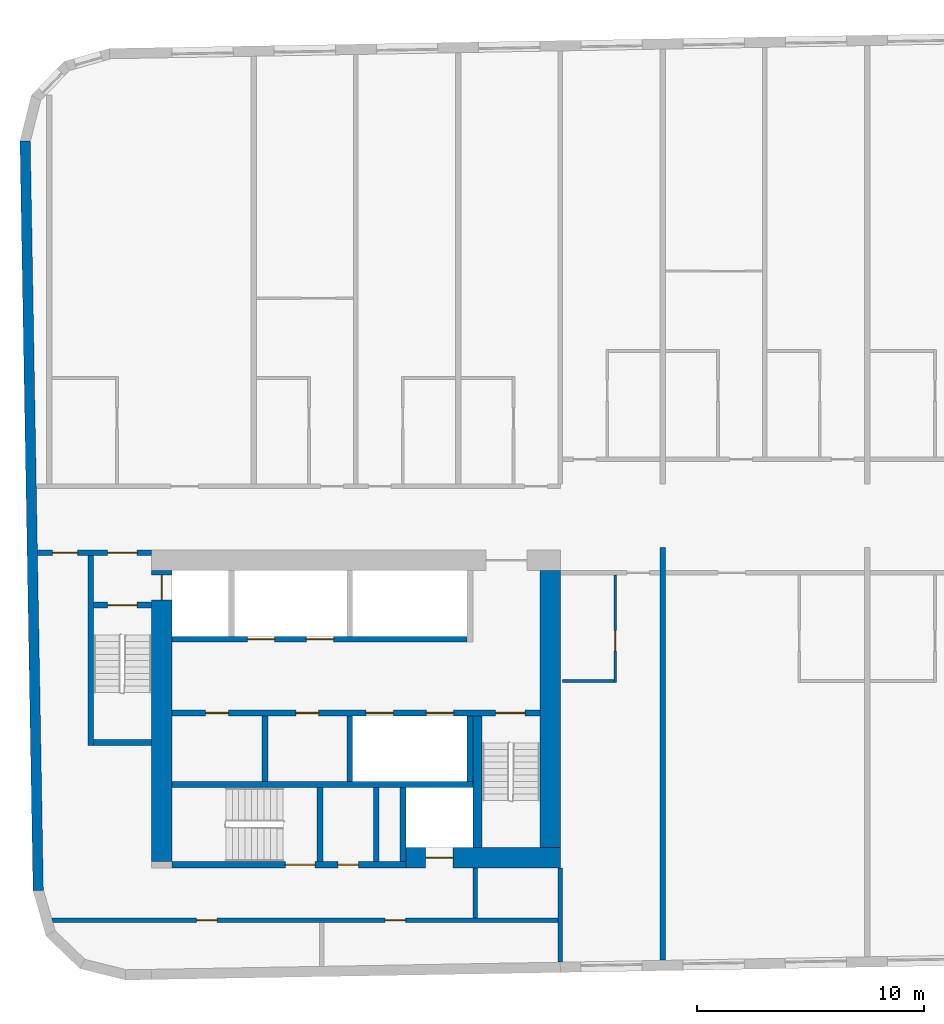
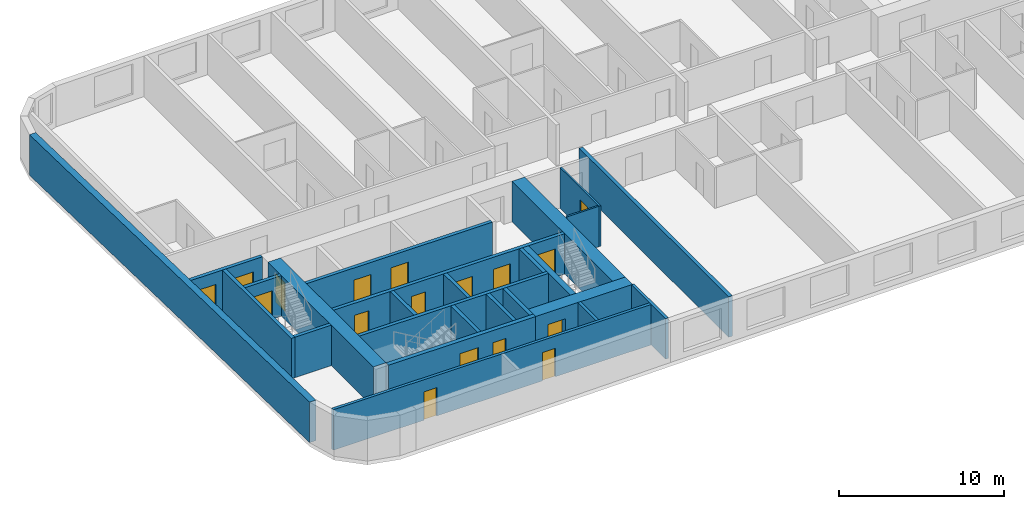
# One storey, part 2 of 11: 25 walls, 17 doors, 17 openings.
"""IFC4 building model written with IfcOpenShell, lengths in metres."""

from ifc_helpers import new_model, si_unit, direction, frame, frame_2d, origin, place, context, subcontext, project, spatial, rectangle, extrude, material, layer, layer_set, type_object, element, fill, save


model = new_model("IFC4")

# Units and contexts
model_context = context("Model", 3, precision=1e-05, world=origin(), true_north=direction((0.0, 1.0)))
body_context = subcontext(model_context, "Body", "Model", "MODEL_VIEW")
ifc_project = project(units=[si_unit("LENGTHUNIT", "METRE"), si_unit("AREAUNIT", "SQUARE_METRE"), si_unit("VOLUMEUNIT", "CUBIC_METRE"), si_unit("PLANEANGLEUNIT", "RADIAN"), si_unit("MASSUNIT", "GRAM", prefix="KILO")], contexts=[model_context])

# Site, building, storey
site_placement = place(None, origin())
site = spatial("IfcSite", under=ifc_project, at=site_placement, CompositionType="ELEMENT")
building_placement = place(site_placement, origin())
building = spatial("IfcBuilding", under=site, at=building_placement, Name="Kajstack Hotel Tower", CompositionType="ELEMENT")
storey_placement = place(building_placement, frame((0.0, 0.0, 254.0)))
storey = spatial("IfcBuildingStorey", under=building, at=storey_placement, Name="L63", CompositionType="ELEMENT", Elevation=254.0)

# Wall, opening, door
ifc_material_1 = material(Name="Concrete C60/75", Category="concrete")
ifc_layer_1 = layer(ifc_material_1, 0.89990234375)
ifc_layer_set_1 = layer_set([ifc_layer_1], Name="Core wall 900")
wall_type_1 = type_object("IfcWallType", Name="Core wall 900", PredefinedType="SHEAR", material=ifc_layer_set_1)
wall_1_placement = place(storey_placement, frame((-20.300048828125, -15.050048828125, 0.0), z_axis=(0.0, 0.0, 1.0), x_axis=(1.0, 0.0, 0.0)))
wall_1 = element("IfcWall", 1, at=wall_1_placement, inside=storey, type_object=wall_type_1, Name="Core wall W RS", PredefinedType="SHEAR", context=body_context, shape_type="SweptSolid", body=[
    extrude(rectangle(XDim=6.800048828125, YDim=0.89990234375, at=frame_2d((3.39990234375, 0.0))), origin(), (0.0, 0.0, 1.0), 3.0),
])
opening_1_placement = place(wall_1_placement, frame((0.875, 0.0, 0.0)))
opening_1 = element("IfcOpeningElement", 2, at=opening_1_placement, cuts=wall_1, Name="Opening LD-SV1", PredefinedType="OPENING", context=body_context, shape_type="SweptSolid", body=[
    extrude(rectangle(XDim=1.199951171875, YDim=2.10009765625, at=frame_2d((0.60009765625, 1.050048828125))), frame((0.0, 0.4599609375, 0.0), z_axis=(0.0, -1.0, 0.0), x_axis=(1.0, 0.0, 0.0)), (0.0, 0.0, 1.0), 0.919921875),
])
ifc_material_2 = material(Name="Stainless steel", Category="steel")
door_type_1 = type_object("IfcDoorType", Name="Lift landing door 1200", OperationType="SLIDING_TO_LEFT", PredefinedType="DOOR", material=ifc_material_2)
door_1_placement = place(opening_1_placement, origin())
door_1 = element("IfcDoor", 3, at=door_1_placement, inside=storey, type_object=door_type_1, Name="Landing door SV1", OperationType="SLIDING_TO_LEFT", OverallHeight=2.10009765625, OverallWidth=1.199951171875, PredefinedType="DOOR", context=body_context, shape_type="SweptSolid", body=[
    extrude(rectangle(XDim=1.199951171875, YDim=2.10009765625, at=frame_2d((0.60009765625, 1.050048828125))), frame((0.0, 0.02490234375, 0.0), z_axis=(0.0, -1.0, 0.0), x_axis=(1.0, 0.0, 0.0)), (0.0, 0.0, 1.0), 0.050048828125),
])
fill(opening_1, door_1)

wall_2_placement = place(storey_placement, frame((-31.050048828125, -15.199951171875, 0.0), z_axis=(0.0, 0.0, 1.0), x_axis=(0.0, 1.0, 0.0)))
wall_2 = element("IfcWall", 4, at=wall_2_placement, inside=storey, type_object=wall_type_1, Name="Core wall W RW", PredefinedType="SHEAR", context=body_context, shape_type="SweptSolid", body=[
    extrude(rectangle(XDim=12.800048828125, YDim=0.89990234375, at=frame_2d((6.39990234375, 0.0))), origin(), (0.0, 0.0, 1.0), 3.0),
])
opening_2_placement = place(wall_2_placement, frame((11.5, 0.0, 0.0)))
opening_2 = element("IfcOpeningElement", 5, at=opening_2_placement, cuts=wall_2, Name="Opening LD-FF1", PredefinedType="OPENING", context=body_context, shape_type="SweptSolid", body=[
    extrude(rectangle(XDim=1.10009765625, YDim=2.10009765625, at=frame_2d((0.550048828125, 1.050048828125))), frame((0.0, 0.4599609375, 0.0), z_axis=(0.0, -1.0, 0.0), x_axis=(1.0, 0.0, 0.0)), (0.0, 0.0, 1.0), 0.919921875),
])
door_type_2 = type_object("IfcDoorType", Name="Fire-fighting lift landing door 1100", OperationType="SLIDING_TO_LEFT", PredefinedType="DOOR", material=ifc_material_2)
door_2_placement = place(opening_2_placement, origin())
door_2 = element("IfcDoor", 6, at=door_2_placement, inside=storey, type_object=door_type_2, Name="Landing door FF1", OperationType="SLIDING_TO_RIGHT", OverallHeight=2.10009765625, OverallWidth=1.10009765625, PredefinedType="DOOR", context=body_context, shape_type="SweptSolid", body=[
    extrude(rectangle(XDim=1.10009765625, YDim=2.10009765625, at=frame_2d((0.550048828125, 1.050048828125))), frame((0.0, 0.02490234375, 0.0), z_axis=(0.0, -1.0, 0.0), x_axis=(1.0, 0.0, 0.0)), (0.0, 0.0, 1.0), 0.050048828125),
])
fill(opening_2, door_2)

# Walls
wall_3_placement = place(storey_placement, frame((-13.949951171875, -14.60009765625, 0.0), z_axis=(0.0, 0.0, 1.0), x_axis=(0.0, 1.0, 0.0)))
element("IfcWall", 7, at=wall_3_placement, inside=storey, type_object=wall_type_1, Name="Core wall W RE", PredefinedType="SHEAR", context=body_context, shape_type="SweptSolid", body=[
    extrude(rectangle(XDim=12.2001953125, YDim=0.89990234375, at=frame_2d((6.10009765625, 0.0))), origin(), (0.0, 0.0, 1.0), 3.0),
])
ifc_material_3 = material(Name="Twin-frame gypsum board on steel studs, mineral wool", Category="steel")
ifc_layer_2 = layer(ifc_material_3, 0.199951171875)
ifc_layer_set_2 = layer_set([ifc_layer_2], Name="Demising wall 200")
wall_type_2 = type_object("IfcWallType", Name="Demising wall 200", PredefinedType="PARTITIONING", material=ifc_layer_set_2)
wall_4_placement = place(storey_placement, frame((-13.5, -19.64111328125, 0.0), z_axis=(0.0, 0.0, 1.0), x_axis=(0.0, 1.0, 0.0)))
element("IfcWall", 8, at=wall_4_placement, inside=storey, type_object=wall_type_2, Name="G-wall-L63-002", PredefinedType="PARTITIONING", context=body_context, shape_type="SweptSolid", body=[
    extrude(rectangle(XDim=4.14111328125, YDim=0.199951171875, at=frame_2d((2.070556640625, 0.0))), origin(), (0.0, 0.0, 1.0), 3.0),
])
ifc_material_4 = material(Name="Terracotta-faced brick masonry", Category="masonry")
ifc_layer_3 = layer(ifc_material_4, 0.449951171875)
ifc_layer_set_3 = layer_set([ifc_layer_3], Name="EW-TERRA")
wall_type_3 = type_object("IfcWallType", Name="EW-TERRA", PredefinedType="SOLIDWALL", material=ifc_layer_set_3)
wall_5_placement = place(storey_placement, frame((-37.056884765625, 16.50341796875, 0.0), z_axis=(0.0, 0.0, 1.0), x_axis=(0.017452279857, -0.999847697366, 0.0)))
element("IfcWall", 9, at=wall_5_placement, inside=storey, type_object=wall_type_3, Name="E-wall-L63-00-00", PredefinedType="SOLIDWALL", context=body_context, shape_type="SweptSolid", body=[
    extrude(rectangle(XDim=33.000244140625, YDim=0.449951171875, at=frame_2d((16.5, 0.0))), origin(), (0.0, 0.0, 1.0), 3.0),
])

# Wall, opening, door
ifc_material_5 = material(Name="Gypsum board and tiled backer on steel studs", Category="steel")
ifc_layer_4 = layer(ifc_material_5, 0.125)
ifc_layer_set_4 = layer_set([ifc_layer_4], Name="En-suite wall 125")
wall_type_4 = type_object("IfcWallType", Name="En-suite wall 125", PredefinedType="PARTITIONING", material=ifc_layer_set_4)
wall_6_placement = place(storey_placement, frame((-11.087890625, -7.324951171875, 0.0), z_axis=(0.0, 0.0, 1.0), x_axis=(0.0, 1.0, 0.0)))
wall_6 = element("IfcWall", 10, at=wall_6_placement, inside=storey, type_object=wall_type_4, Name="G-wall-L63-030", PredefinedType="PARTITIONING", context=body_context, shape_type="SweptSolid", body=[
    extrude(rectangle(XDim=4.724853515625, YDim=0.125, at=frame_2d((2.3623046875, 0.0))), origin(), (0.0, 0.0, 1.0), 3.0),
])
opening_3_placement = place(wall_6_placement, frame((1.375, 0.0, 0.0)))
opening_3 = element("IfcOpeningElement", 11, at=opening_3_placement, cuts=wall_6, Name="Opening 63022", PredefinedType="OPENING", context=body_context, shape_type="SweptSolid", body=[
    extrude(rectangle(XDim=0.89990234375, YDim=2.10009765625, at=frame_2d((0.449951171875, 1.050048828125))), frame((0.0, 0.072509765625, 0.0), z_axis=(0.0, -1.0, 0.0), x_axis=(1.0, 0.0, 0.0)), (0.0, 0.0, 1.0), 0.14501953125),
])
ifc_material_6 = material(Name="Painted timber door leaf", Category="wood")
door_type_3 = type_object("IfcDoorType", Name="Room door 900", OperationType="SINGLE_SWING_LEFT", PredefinedType="DOOR", material=ifc_material_6)
door_3_placement = place(opening_3_placement, origin())
door_3 = element("IfcDoor", 12, at=door_3_placement, inside=storey, type_object=door_type_3, Name="G-door-L63-22", OperationType="SINGLE_SWING_LEFT", OverallHeight=2.10009765625, OverallWidth=0.89990234375, PredefinedType="DOOR", context=body_context, shape_type="SweptSolid", body=[
    extrude(rectangle(XDim=0.89990234375, YDim=2.10009765625, at=frame_2d((0.449951171875, 1.050048828125))), frame((0.0, 0.02490234375, 0.0), z_axis=(0.0, -1.0, 0.0), x_axis=(1.0, 0.0, 0.0)), (0.0, 0.0, 1.0), 0.050048828125),
])
fill(opening_3, door_3)

# Walls
wall_7_placement = place(storey_placement, frame((-13.39990234375, -7.261962890625, 0.0), z_axis=(0.0, 0.0, 1.0), x_axis=(1.0, 0.0, 0.0)))
element("IfcWall", 13, at=wall_7_placement, inside=storey, type_object=wall_type_4, Name="G-wall-L63-031", PredefinedType="PARTITIONING", context=body_context, shape_type="SweptSolid", body=[
    extrude(rectangle(XDim=2.25, YDim=0.125, at=frame_2d((1.125, 0.0))), origin(), (0.0, 0.0, 1.0), 3.0),
])
ifc_material_7 = material(Name="Concrete C50/60", Category="concrete")
ifc_layer_5 = layer(ifc_material_7, 0.300048828125)
ifc_layer_set_5 = layer_set([ifc_layer_5], Name="Hoistway divider wall 300")
wall_type_5 = type_object("IfcWallType", Name="Hoistway divider wall 300", PredefinedType="SHEAR", material=ifc_layer_set_5)
wall_8_placement = place(storey_placement, frame((-22.77490234375, -11.699951171875, 0.0), z_axis=(0.0, 0.0, 1.0), x_axis=(0.0, 1.0, 0.0)))
element("IfcWall", 14, at=wall_8_placement, inside=storey, type_object=wall_type_5, Name="Core wall W BP2", PredefinedType="SHEAR", context=body_context, shape_type="SweptSolid", body=[
    extrude(rectangle(XDim=2.89990234375, YDim=0.25, at=frame_2d((1.449951171875, 0.0))), origin(), (0.0, 0.0, 1.0), 3.0),
])
ifc_material_8 = material(Name="Concrete C45/55", Category="concrete")
ifc_layer_6 = layer(ifc_material_8, 0.25)
ifc_layer_set_6 = layer_set([ifc_layer_6], Name="RC cross wall 250 C45/55")
wall_type_6 = type_object("IfcWallType", Name="RC cross wall 250 C45/55", PredefinedType="SHEAR", material=ifc_layer_set_6)
wall_9_placement = place(storey_placement, frame((-9.0, -19.55029296875, 0.0), z_axis=(0.0, 0.0, 1.0), x_axis=(0.0, 1.0, 0.0)))
element("IfcWall", 15, at=wall_9_placement, inside=storey, type_object=wall_type_6, Name="S-wall-L63-04", PredefinedType="SHEAR", context=body_context, shape_type="SweptSolid", body=[
    extrude(rectangle(XDim=18.150390625, YDim=0.25, at=frame_2d((9.0751953125, 0.0))), origin(), (0.0, 0.0, 1.0), 3.0),
])
ifc_material_9 = material(Name="Concrete block masonry", Category="masonry")
ifc_layer_7 = layer(ifc_material_9, 0.25)
ifc_layer_set_7 = layer_set([ifc_layer_7], Name="Riser partition 250")
wall_type_7 = type_object("IfcWallType", Name="Riser partition 250", PredefinedType="PARTITIONING", material=ifc_layer_set_7)
wall_10_placement = place(storey_placement, frame((-26.5, -11.699951171875, 0.0), z_axis=(0.0, 0.0, 1.0), x_axis=(0.0, 1.0, 0.0)))
element("IfcWall", 16, at=wall_10_placement, inside=storey, type_object=wall_type_7, Name="Partition W BF0", PredefinedType="PARTITIONING", context=body_context, shape_type="SweptSolid", body=[
    extrude(rectangle(XDim=2.89990234375, YDim=0.25, at=frame_2d((1.449951171875, 0.0))), origin(), (0.0, 0.0, 1.0), 3.0),
])
wall_11_placement = place(storey_placement, frame((-21.60009765625, -15.199951171875, 0.0), z_axis=(0.0, 0.0, 1.0), x_axis=(0.0, 1.0, 0.0)))
element("IfcWall", 17, at=wall_11_placement, inside=storey, type_object=wall_type_7, Name="Partition W SZ0", PredefinedType="PARTITIONING", context=body_context, shape_type="SweptSolid", body=[
    extrude(rectangle(XDim=3.25, YDim=0.25, at=frame_2d((1.625, 0.0))), origin(), (0.0, 0.0, 1.0), 3.0),
])

# Wall, openings, doors
ifc_material_10 = material(Name="Gypsum board on steel studs, mineral wool", Category="steel")
ifc_layer_8 = layer(ifc_material_10, 0.199951171875)
ifc_layer_set_8 = layer_set([ifc_layer_8], Name="Service partition 200")
wall_type_8 = type_object("IfcWallType", Name="Service partition 200", PredefinedType="PARTITIONING", material=ifc_layer_set_8)
wall_12_placement = place(storey_placement, frame((-36.515380859375, -1.625, 0.0), z_axis=(0.0, 0.0, 1.0), x_axis=(1.0, 0.0, 0.0)))
wall_12 = element("IfcWall", 18, at=wall_12_placement, inside=storey, type_object=wall_type_8, Name="Partition W SN", PredefinedType="PARTITIONING", context=body_context, shape_type="SweptSolid", body=[
    extrude(rectangle(XDim=5.015380859375, YDim=0.25, at=frame_2d((2.5078125, 0.0))), origin(), (0.0, 0.0, 1.0), 3.0),
])
opening_4_placement = place(wall_12_placement, frame((3.09033203125, 0.0, 0.0)))
opening_4 = element("IfcOpeningElement", 19, at=opening_4_placement, cuts=wall_12, Name="Opening 63W08", PredefinedType="OPENING", context=body_context, shape_type="SweptSolid", body=[
    extrude(rectangle(XDim=1.300048828125, YDim=2.10009765625, at=frame_2d((0.64990234375, 1.050048828125))), frame((0.0, 0.135009765625, 0.0), z_axis=(0.0, -1.0, 0.0), x_axis=(1.0, 0.0, 0.0)), (0.0, 0.0, 1.0), 0.27001953125),
])
opening_5_placement = place(wall_12_placement, frame((0.665283203125, 0.0, 0.0)))
opening_5 = element("IfcOpeningElement", 20, at=opening_5_placement, cuts=wall_12, Name="Opening 63W10", PredefinedType="OPENING", context=body_context, shape_type="SweptSolid", body=[
    extrude(rectangle(XDim=1.10009765625, YDim=2.10009765625, at=frame_2d((0.550048828125, 1.050048828125))), frame((0.0, 0.135009765625, 0.0), z_axis=(0.0, -1.0, 0.0), x_axis=(1.0, 0.0, 0.0)), (0.0, 0.0, 1.0), 0.27001953125),
])
ifc_material_11 = material(Name="Steel leaf, fire-rated", Category="steel")
door_type_4 = type_object("IfcDoorType", Name="Fire lobby door 1300", OperationType="SINGLE_SWING_LEFT", PredefinedType="DOOR", material=ifc_material_11)
door_4_placement = place(opening_4_placement, origin())
door_4 = element("IfcDoor", 21, at=door_4_placement, inside=storey, type_object=door_type_4, Name="Door 63W08", OperationType="SINGLE_SWING_RIGHT", OverallHeight=2.10009765625, OverallWidth=1.300048828125, PredefinedType="DOOR", context=body_context, shape_type="SweptSolid", body=[
    extrude(rectangle(XDim=1.300048828125, YDim=2.10009765625, at=frame_2d((0.64990234375, 1.050048828125))), frame((0.0, 0.02490234375, 0.0), z_axis=(0.0, -1.0, 0.0), x_axis=(1.0, 0.0, 0.0)), (0.0, 0.0, 1.0), 0.050048828125),
])
fill(opening_4, door_4)
ifc_material_12 = material(Name="Timber leaf, fire-rated", Category="wood")
door_type_5 = type_object("IfcDoorType", Name="Service corridor door 1100", OperationType="SINGLE_SWING_LEFT", PredefinedType="DOOR", material=ifc_material_12)
door_5_placement = place(opening_5_placement, origin())
door_5 = element("IfcDoor", 22, at=door_5_placement, inside=storey, type_object=door_type_5, Name="Door 63W10", OperationType="SINGLE_SWING_RIGHT", OverallHeight=2.10009765625, OverallWidth=1.10009765625, PredefinedType="DOOR", context=body_context, shape_type="SweptSolid", body=[
    extrude(rectangle(XDim=1.10009765625, YDim=2.10009765625, at=frame_2d((0.550048828125, 1.050048828125))), frame((0.0, 0.02490234375, 0.0), z_axis=(0.0, -1.0, 0.0), x_axis=(1.0, 0.0, 0.0)), (0.0, 0.0, 1.0), 0.050048828125),
])
fill(opening_5, door_5)

# Wall
wall_13_placement = place(storey_placement, frame((-17.25, -17.699951171875, 0.0), z_axis=(0.0, 0.0, 1.0), x_axis=(0.0, 1.0, 0.0)))
element("IfcWall", 23, at=wall_13_placement, inside=storey, type_object=wall_type_8, Name="Partition W SCE", PredefinedType="PARTITIONING", context=body_context, shape_type="SweptSolid", body=[
    extrude(rectangle(XDim=2.199951171875, YDim=0.199951171875, at=frame_2d((1.10009765625, 0.0))), origin(), (0.0, 0.0, 1.0), 3.0),
])

# Wall, openings, doors
wall_14_placement = place(storey_placement, frame((-35.86376953125, -17.800048828125, 0.0), z_axis=(0.0, 0.0, 1.0), x_axis=(1.0, 0.0, 0.0)))
wall_14 = element("IfcWall", 24, at=wall_14_placement, inside=storey, type_object=wall_type_8, Name="Partition W SLN", PredefinedType="PARTITIONING", context=body_context, shape_type="SweptSolid", body=[
    extrude(rectangle(XDim=22.263671875, YDim=0.199951171875, at=frame_2d((11.1318359375, 0.0))), origin(), (0.0, 0.0, 1.0), 3.0),
])
opening_6_placement = place(wall_14_placement, frame((6.351318359375, 0.0, 0.0)))
opening_6 = element("IfcOpeningElement", 25, at=opening_6_placement, cuts=wall_14, Name="Opening 63W16", PredefinedType="OPENING", context=body_context, shape_type="SweptSolid", body=[
    extrude(rectangle(XDim=0.89990234375, YDim=2.10009765625, at=frame_2d((0.449951171875, 1.050048828125))), frame((0.0, 0.10986328125, 0.0), z_axis=(0.0, -1.0, 0.0), x_axis=(1.0, 0.0, 0.0)), (0.0, 0.0, 1.0), 0.219970703125),
])
opening_7_placement = place(wall_14_placement, frame((14.651123046875, 0.0, 0.0)))
opening_7 = element("IfcOpeningElement", 26, at=opening_7_placement, cuts=wall_14, Name="Opening 63W17", PredefinedType="OPENING", context=body_context, shape_type="SweptSolid", body=[
    extrude(rectangle(XDim=0.89990234375, YDim=2.10009765625, at=frame_2d((0.449951171875, 1.050048828125))), frame((0.0, 0.10986328125, 0.0), z_axis=(0.0, -1.0, 0.0), x_axis=(1.0, 0.0, 0.0)), (0.0, 0.0, 1.0), 0.219970703125),
])
door_type_6 = type_object("IfcDoorType", Name="Service door 900", OperationType="SINGLE_SWING_LEFT", PredefinedType="DOOR", material=ifc_material_12)
door_6_placement = place(opening_6_placement, origin())
door_6 = element("IfcDoor", 27, at=door_6_placement, inside=storey, type_object=door_type_6, Name="Door 63W16", OperationType="SINGLE_SWING_RIGHT", OverallHeight=2.10009765625, OverallWidth=0.89990234375, PredefinedType="DOOR", context=body_context, shape_type="SweptSolid", body=[
    extrude(rectangle(XDim=0.89990234375, YDim=2.10009765625, at=frame_2d((0.449951171875, 1.050048828125))), frame((0.0, 0.02490234375, 0.0), z_axis=(0.0, -1.0, 0.0), x_axis=(1.0, 0.0, 0.0)), (0.0, 0.0, 1.0), 0.050048828125),
])
fill(opening_6, door_6)
door_7_placement = place(opening_7_placement, origin())
door_7 = element("IfcDoor", 28, at=door_7_placement, inside=storey, type_object=door_type_6, Name="Door 63W17", OperationType="SINGLE_SWING_RIGHT", OverallHeight=2.10009765625, OverallWidth=0.89990234375, PredefinedType="DOOR", context=body_context, shape_type="SweptSolid", body=[
    extrude(rectangle(XDim=0.89990234375, YDim=2.10009765625, at=frame_2d((0.449951171875, 1.050048828125))), frame((0.0, 0.02490234375, 0.0), z_axis=(0.0, -1.0, 0.0), x_axis=(1.0, 0.0, 0.0)), (0.0, 0.0, 1.0), 0.050048828125),
])
fill(opening_7, door_7)

ifc_layer_9 = layer(ifc_material_7, 0.25)
ifc_layer_set_9 = layer_set([ifc_layer_9], Name="Shaft wall 250")
wall_type_9 = type_object("IfcWallType", Name="Shaft wall 250", PredefinedType="SHEAR", material=ifc_layer_set_9)
wall_15_placement = place(storey_placement, frame((-30.60009765625, -15.35009765625, 0.0), z_axis=(0.0, 0.0, 1.0), x_axis=(1.0, 0.0, 0.0)))
wall_15 = element("IfcWall", 29, at=wall_15_placement, inside=storey, type_object=wall_type_9, Name="Core wall W RSS", PredefinedType="SHEAR", context=body_context, shape_type="SweptSolid", body=[
    extrude(rectangle(XDim=10.300048828125, YDim=0.300048828125, at=frame_2d((5.14990234375, 0.0))), origin(), (0.0, 0.0, 1.0), 3.0),
])
opening_8_placement = place(wall_15_placement, frame((5.0, 0.0, 0.0)))
opening_8 = element("IfcOpeningElement", 30, at=opening_8_placement, cuts=wall_15, Name="Opening 63W12", PredefinedType="OPENING", context=body_context, shape_type="SweptSolid", body=[
    extrude(rectangle(XDim=1.300048828125, YDim=2.10009765625, at=frame_2d((0.64990234375, 1.050048828125))), frame((0.0, 0.159912109375, 0.0), z_axis=(0.0, -1.0, 0.0), x_axis=(1.0, 0.0, 0.0)), (0.0, 0.0, 1.0), 0.320068359375),
])
opening_9_placement = place(wall_15_placement, frame((7.3125, 0.0, 0.0)))
opening_9 = element("IfcOpeningElement", 31, at=opening_9_placement, cuts=wall_15, Name="Opening 63W13", PredefinedType="OPENING", context=body_context, shape_type="SweptSolid", body=[
    extrude(rectangle(XDim=0.89990234375, YDim=2.10009765625, at=frame_2d((0.449951171875, 1.050048828125))), frame((0.0, 0.159912109375, 0.0), z_axis=(0.0, -1.0, 0.0), x_axis=(1.0, 0.0, 0.0)), (0.0, 0.0, 1.0), 0.320068359375),
])
door_8_placement = place(opening_9_placement, origin())
door_8 = element("IfcDoor", 32, at=door_8_placement, inside=storey, type_object=door_type_6, Name="Door 63W13", OperationType="SINGLE_SWING_LEFT", OverallHeight=2.10009765625, OverallWidth=0.89990234375, PredefinedType="DOOR", context=body_context, shape_type="SweptSolid", body=[
    extrude(rectangle(XDim=0.89990234375, YDim=2.10009765625, at=frame_2d((0.449951171875, 1.050048828125))), frame((0.0, 0.02490234375, 0.0), z_axis=(0.0, -1.0, 0.0), x_axis=(1.0, 0.0, 0.0)), (0.0, 0.0, 1.0), 0.050048828125),
])
fill(opening_9, door_8)
door_type_7 = type_object("IfcDoorType", Name="Stair door 1300", OperationType="SINGLE_SWING_LEFT", PredefinedType="DOOR", material=ifc_material_11)
door_9_placement = place(opening_8_placement, origin())
door_9 = element("IfcDoor", 33, at=door_9_placement, inside=storey, type_object=door_type_7, Name="Door 63W12", OperationType="SINGLE_SWING_RIGHT", OverallHeight=2.10009765625, OverallWidth=1.300048828125, PredefinedType="DOOR", context=body_context, shape_type="SweptSolid", body=[
    extrude(rectangle(XDim=1.300048828125, YDim=2.10009765625, at=frame_2d((0.64990234375, 1.050048828125))), frame((0.0, 0.02490234375, 0.0), z_axis=(0.0, -1.0, 0.0), x_axis=(1.0, 0.0, 0.0)), (0.0, 0.0, 1.0), 0.050048828125),
])
fill(opening_8, door_9)

wall_16_placement = place(storey_placement, frame((-30.60009765625, -5.425048828125, 0.0), z_axis=(0.0, 0.0, 1.0), x_axis=(1.0, 0.0, 0.0)))
wall_16 = element("IfcWall", 34, at=wall_16_placement, inside=storey, type_object=wall_type_9, Name="Core wall W FA", PredefinedType="SHEAR", context=body_context, shape_type="SweptSolid", body=[
    extrude(rectangle(XDim=13.0, YDim=0.25, at=frame_2d((6.5, 0.0))), origin(), (0.0, 0.0, 1.0), 3.0),
])
opening_10_placement = place(wall_16_placement, frame((3.324951171875, 0.0, 0.0)))
opening_10 = element("IfcOpeningElement", 35, at=opening_10_placement, cuts=wall_16, Name="Opening LD-MR3", PredefinedType="OPENING", context=body_context, shape_type="SweptSolid", body=[
    extrude(rectangle(XDim=1.199951171875, YDim=2.10009765625, at=frame_2d((0.60009765625, 1.050048828125))), frame((0.0, 0.135009765625, 0.0), z_axis=(0.0, -1.0, 0.0), x_axis=(1.0, 0.0, 0.0)), (0.0, 0.0, 1.0), 0.27001953125),
])
opening_11_placement = place(wall_16_placement, frame((5.925048828125, 0.0, 0.0)))
opening_11 = element("IfcOpeningElement", 36, at=opening_11_placement, cuts=wall_16, Name="Opening LD-MR4", PredefinedType="OPENING", context=body_context, shape_type="SweptSolid", body=[
    extrude(rectangle(XDim=1.199951171875, YDim=2.10009765625, at=frame_2d((0.60009765625, 1.050048828125))), frame((0.0, 0.135009765625, 0.0), z_axis=(0.0, -1.0, 0.0), x_axis=(1.0, 0.0, 0.0)), (0.0, 0.0, 1.0), 0.27001953125),
])
door_10_placement = place(opening_10_placement, origin())
door_10 = element("IfcDoor", 37, at=door_10_placement, inside=storey, type_object=door_type_1, Name="Landing door MR3", OperationType="SLIDING_TO_RIGHT", OverallHeight=2.10009765625, OverallWidth=1.199951171875, PredefinedType="DOOR", context=body_context, shape_type="SweptSolid", body=[
    extrude(rectangle(XDim=1.199951171875, YDim=2.10009765625, at=frame_2d((0.60009765625, 1.050048828125))), frame((0.0, 0.02490234375, 0.0), z_axis=(0.0, -1.0, 0.0), x_axis=(1.0, 0.0, 0.0)), (0.0, 0.0, 1.0), 0.050048828125),
])
fill(opening_10, door_10)
door_11_placement = place(opening_11_placement, origin())
door_11 = element("IfcDoor", 38, at=door_11_placement, inside=storey, type_object=door_type_1, Name="Landing door MR4", OperationType="SLIDING_TO_RIGHT", OverallHeight=2.10009765625, OverallWidth=1.199951171875, PredefinedType="DOOR", context=body_context, shape_type="SweptSolid", body=[
    extrude(rectangle(XDim=1.199951171875, YDim=2.10009765625, at=frame_2d((0.60009765625, 1.050048828125))), frame((0.0, 0.02490234375, 0.0), z_axis=(0.0, -1.0, 0.0), x_axis=(1.0, 0.0, 0.0)), (0.0, 0.0, 1.0), 0.050048828125),
])
fill(opening_11, door_11)

wall_17_placement = place(storey_placement, frame((-30.60009765625, -8.675048828125, 0.0), z_axis=(0.0, 0.0, 1.0), x_axis=(1.0, 0.0, 0.0)))
wall_17 = element("IfcWall", 39, at=wall_17_placement, inside=storey, type_object=wall_type_9, Name="Core wall W FB", PredefinedType="SHEAR", context=body_context, shape_type="SweptSolid", body=[
    extrude(rectangle(XDim=16.2001953125, YDim=0.25, at=frame_2d((8.10009765625, 0.0))), origin(), (0.0, 0.0, 1.0), 3.0),
])
opening_12_placement = place(wall_17_placement, frame((8.550048828125, 0.0, 0.0)))
opening_12 = element("IfcOpeningElement", 40, at=opening_12_placement, cuts=wall_17, Name="Opening LD-MR1", PredefinedType="OPENING", context=body_context, shape_type="SweptSolid", body=[
    extrude(rectangle(XDim=1.199951171875, YDim=2.10009765625, at=frame_2d((0.60009765625, 1.050048828125))), frame((0.0, 0.135009765625, 0.0), z_axis=(0.0, -1.0, 0.0), x_axis=(1.0, 0.0, 0.0)), (0.0, 0.0, 1.0), 0.27001953125),
])
opening_13_placement = place(wall_17_placement, frame((11.199951171875, 0.0, 0.0)))
opening_13 = element("IfcOpeningElement", 41, at=opening_13_placement, cuts=wall_17, Name="Opening LD-MR2", PredefinedType="OPENING", context=body_context, shape_type="SweptSolid", body=[
    extrude(rectangle(XDim=1.199951171875, YDim=2.10009765625, at=frame_2d((0.60009765625, 1.050048828125))), frame((0.0, 0.135009765625, 0.0), z_axis=(0.0, -1.0, 0.0), x_axis=(1.0, 0.0, 0.0)), (0.0, 0.0, 1.0), 0.27001953125),
])
opening_14_placement = place(wall_17_placement, frame((14.25, 0.0, 0.0)))
opening_14 = element("IfcOpeningElement", 42, at=opening_14_placement, cuts=wall_17, Name="Opening 63W11", PredefinedType="OPENING", context=body_context, shape_type="SweptSolid", body=[
    extrude(rectangle(XDim=1.300048828125, YDim=2.10009765625, at=frame_2d((0.64990234375, 1.050048828125))), frame((0.0, 0.135009765625, 0.0), z_axis=(0.0, -1.0, 0.0), x_axis=(1.0, 0.0, 0.0)), (0.0, 0.0, 1.0), 0.27001953125),
])
opening_15_placement = place(wall_17_placement, frame((1.487548828125, 0.0, 0.0)))
opening_15 = element("IfcOpeningElement", 43, at=opening_15_placement, cuts=wall_17, Name="Opening 63W14", PredefinedType="OPENING", context=body_context, shape_type="SweptSolid", body=[
    extrude(rectangle(XDim=1.0, YDim=2.10009765625, at=frame_2d((0.5, 1.050048828125))), frame((0.0, 0.135009765625, 0.0), z_axis=(0.0, -1.0, 0.0), x_axis=(1.0, 0.0, 0.0)), (0.0, 0.0, 1.0), 0.27001953125),
])
opening_16_placement = place(wall_17_placement, frame((5.46240234375, 0.0, 0.0)))
opening_16 = element("IfcOpeningElement", 44, at=opening_16_placement, cuts=wall_17, Name="Opening 63W15", PredefinedType="OPENING", context=body_context, shape_type="SweptSolid", body=[
    extrude(rectangle(XDim=1.0, YDim=2.10009765625, at=frame_2d((0.5, 1.050048828125))), frame((0.0, 0.135009765625, 0.0), z_axis=(0.0, -1.0, 0.0), x_axis=(1.0, 0.0, 0.0)), (0.0, 0.0, 1.0), 0.27001953125),
])
door_12_placement = place(opening_12_placement, origin())
door_12 = element("IfcDoor", 45, at=door_12_placement, inside=storey, type_object=door_type_1, Name="Landing door MR1", OperationType="SLIDING_TO_LEFT", OverallHeight=2.10009765625, OverallWidth=1.199951171875, PredefinedType="DOOR", context=body_context, shape_type="SweptSolid", body=[
    extrude(rectangle(XDim=1.199951171875, YDim=2.10009765625, at=frame_2d((0.60009765625, 1.050048828125))), frame((0.0, 0.02490234375, 0.0), z_axis=(0.0, -1.0, 0.0), x_axis=(1.0, 0.0, 0.0)), (0.0, 0.0, 1.0), 0.050048828125),
])
fill(opening_12, door_12)
door_13_placement = place(opening_13_placement, origin())
door_13 = element("IfcDoor", 46, at=door_13_placement, inside=storey, type_object=door_type_1, Name="Landing door MR2", OperationType="SLIDING_TO_RIGHT", OverallHeight=2.10009765625, OverallWidth=1.199951171875, PredefinedType="DOOR", context=body_context, shape_type="SweptSolid", body=[
    extrude(rectangle(XDim=1.199951171875, YDim=2.10009765625, at=frame_2d((0.60009765625, 1.050048828125))), frame((0.0, 0.02490234375, 0.0), z_axis=(0.0, -1.0, 0.0), x_axis=(1.0, 0.0, 0.0)), (0.0, 0.0, 1.0), 0.050048828125),
])
fill(opening_13, door_13)
door_type_8 = type_object("IfcDoorType", Name="Service room door 1000", OperationType="SINGLE_SWING_LEFT", PredefinedType="DOOR", material=ifc_material_12)
door_14_placement = place(opening_15_placement, origin())
door_14 = element("IfcDoor", 47, at=door_14_placement, inside=storey, type_object=door_type_8, Name="Door 63W14", OperationType="SINGLE_SWING_RIGHT", OverallHeight=2.10009765625, OverallWidth=1.0, PredefinedType="DOOR", context=body_context, shape_type="SweptSolid", body=[
    extrude(rectangle(XDim=1.0, YDim=2.10009765625, at=frame_2d((0.5, 1.050048828125))), frame((0.0, 0.02490234375, 0.0), z_axis=(0.0, -1.0, 0.0), x_axis=(1.0, 0.0, 0.0)), (0.0, 0.0, 1.0), 0.050048828125),
])
fill(opening_15, door_14)
door_15_placement = place(opening_16_placement, origin())
door_15 = element("IfcDoor", 48, at=door_15_placement, inside=storey, type_object=door_type_8, Name="Door 63W15", OperationType="SINGLE_SWING_RIGHT", OverallHeight=2.10009765625, OverallWidth=1.0, PredefinedType="DOOR", context=body_context, shape_type="SweptSolid", body=[
    extrude(rectangle(XDim=1.0, YDim=2.10009765625, at=frame_2d((0.5, 1.050048828125))), frame((0.0, 0.02490234375, 0.0), z_axis=(0.0, -1.0, 0.0), x_axis=(1.0, 0.0, 0.0)), (0.0, 0.0, 1.0), 0.050048828125),
])
fill(opening_16, door_15)
door_16_placement = place(opening_14_placement, origin())
door_16 = element("IfcDoor", 49, at=door_16_placement, inside=storey, type_object=door_type_7, Name="Door 63W11", OperationType="SINGLE_SWING_RIGHT", OverallHeight=2.10009765625, OverallWidth=1.300048828125, PredefinedType="DOOR", context=body_context, shape_type="SweptSolid", body=[
    extrude(rectangle(XDim=1.300048828125, YDim=2.10009765625, at=frame_2d((0.64990234375, 1.050048828125))), frame((0.0, 0.02490234375, 0.0), z_axis=(0.0, -1.0, 0.0), x_axis=(1.0, 0.0, 0.0)), (0.0, 0.0, 1.0), 0.050048828125),
])
fill(opening_14, door_16)

# Walls
wall_18_placement = place(storey_placement, frame((-30.60009765625, -11.824951171875, 0.0), z_axis=(0.0, 0.0, 1.0), x_axis=(1.0, 0.0, 0.0)))
element("IfcWall", 50, at=wall_18_placement, inside=storey, type_object=wall_type_9, Name="Core wall W RB", PredefinedType="SHEAR", context=body_context, shape_type="SweptSolid", body=[
    extrude(rectangle(XDim=13.25, YDim=0.25, at=frame_2d((6.625, 0.0))), origin(), (0.0, 0.0, 1.0), 3.0),
])
wall_19_placement = place(storey_placement, frame((-17.47509765625, -11.699951171875, 0.0), z_axis=(0.0, 0.0, 1.0), x_axis=(0.0, 1.0, 0.0)))
element("IfcWall", 51, at=wall_19_placement, inside=storey, type_object=wall_type_9, Name="Core wall W BE", PredefinedType="SHEAR", context=body_context, shape_type="SweptSolid", body=[
    extrude(rectangle(XDim=2.89990234375, YDim=0.25, at=frame_2d((1.449951171875, 0.0))), origin(), (0.0, 0.0, 1.0), 3.0),
])
wall_20_placement = place(storey_placement, frame((-20.425048828125, -15.199951171875, 0.0), z_axis=(0.0, 0.0, 1.0), x_axis=(0.0, 1.0, 0.0)))
element("IfcWall", 52, at=wall_20_placement, inside=storey, type_object=wall_type_9, Name="Core wall W SVW", PredefinedType="SHEAR", context=body_context, shape_type="SweptSolid", body=[
    extrude(rectangle(XDim=3.25, YDim=0.25, at=frame_2d((1.625, 0.0))), origin(), (0.0, 0.0, 1.0), 3.0),
])

# Wall, opening, door
ifc_material_13 = material(Name="Concrete C40/50", Category="concrete")
ifc_layer_10 = layer(ifc_material_13, 0.25)
ifc_layer_set_10 = layer_set([ifc_layer_10], Name="Stair enclosure wall 250")
wall_type_10 = type_object("IfcWallType", Name="Stair enclosure wall 250", PredefinedType="SHEAR", material=ifc_layer_set_10)
wall_21_placement = place(storey_placement, frame((-34.050048828125, -3.925048828125, 0.0), z_axis=(0.0, 0.0, 1.0), x_axis=(1.0, 0.0, 0.0)))
wall_21 = element("IfcWall", 53, at=wall_21_placement, inside=storey, type_object=wall_type_10, Name="Core wall W W1N", PredefinedType="SHEAR", context=body_context, shape_type="SweptSolid", body=[
    extrude(rectangle(XDim=2.550048828125, YDim=0.25, at=frame_2d((1.27490234375, 0.0))), origin(), (0.0, 0.0, 1.0), 3.0),
])
opening_17_placement = place(wall_21_placement, frame((0.625, 0.0, 0.0)))
opening_17 = element("IfcOpeningElement", 54, at=opening_17_placement, cuts=wall_21, Name="Opening 63W09", PredefinedType="OPENING", context=body_context, shape_type="SweptSolid", body=[
    extrude(rectangle(XDim=1.300048828125, YDim=2.10009765625, at=frame_2d((0.64990234375, 1.050048828125))), frame((0.0, 0.135009765625, 0.0), z_axis=(0.0, -1.0, 0.0), x_axis=(1.0, 0.0, 0.0)), (0.0, 0.0, 1.0), 0.27001953125),
])
door_17_placement = place(opening_17_placement, origin())
door_17 = element("IfcDoor", 55, at=door_17_placement, inside=storey, type_object=door_type_7, Name="Door 63W09", OperationType="SINGLE_SWING_RIGHT", OverallHeight=2.10009765625, OverallWidth=1.300048828125, PredefinedType="DOOR", context=body_context, shape_type="SweptSolid", body=[
    extrude(rectangle(XDim=1.300048828125, YDim=2.10009765625, at=frame_2d((0.64990234375, 1.050048828125))), frame((0.0, 0.02490234375, 0.0), z_axis=(0.0, -1.0, 0.0), x_axis=(1.0, 0.0, 0.0)), (0.0, 0.0, 1.0), 0.050048828125),
])
fill(opening_17, door_17)

# Walls
wall_22_placement = place(storey_placement, frame((-34.175048828125, -10.10009765625, 0.0), z_axis=(0.0, 0.0, 1.0), x_axis=(0.0, 1.0, 0.0)))
element("IfcWall", 56, at=wall_22_placement, inside=storey, type_object=wall_type_10, Name="Core wall W W1W", PredefinedType="SHEAR", context=body_context, shape_type="SweptSolid", body=[
    extrude(rectangle(XDim=8.35009765625, YDim=0.25, at=frame_2d((4.175048828125, 0.0))), origin(), (0.0, 0.0, 1.0), 3.0),
])
wall_23_placement = place(storey_placement, frame((-34.050048828125, -9.97509765625, 0.0), z_axis=(0.0, 0.0, 1.0), x_axis=(1.0, 0.0, 0.0)))
element("IfcWall", 57, at=wall_23_placement, inside=storey, type_object=wall_type_10, Name="Core wall W W1S", PredefinedType="SHEAR", context=body_context, shape_type="SweptSolid", body=[
    extrude(rectangle(XDim=2.550048828125, YDim=0.25, at=frame_2d((1.27490234375, 0.0))), origin(), (0.0, 0.0, 1.0), 3.0),
])
ifc_layer_11 = layer(ifc_material_7, 0.35009765625)
ifc_layer_set_11 = layer_set([ifc_layer_11], Name="Stair enclosure wall 350")
wall_type_11 = type_object("IfcWallType", Name="Stair enclosure wall 350", PredefinedType="SHEAR", material=ifc_layer_set_11)
wall_24_placement = place(storey_placement, frame((-24.074951171875, -15.199951171875, 0.0), z_axis=(0.0, 0.0, 1.0), x_axis=(0.0, 1.0, 0.0)))
element("IfcWall", 58, at=wall_24_placement, inside=storey, type_object=wall_type_11, Name="Core wall W W3E", PredefinedType="SHEAR", context=body_context, shape_type="SweptSolid", body=[
    extrude(rectangle(XDim=3.25, YDim=0.25, at=frame_2d((1.625, 0.0))), origin(), (0.0, 0.0, 1.0), 3.0),
])
ifc_layer_12 = layer(ifc_material_7, 0.39990234375)
ifc_layer_set_12 = layer_set([ifc_layer_12], Name="Stair wall 400")
wall_type_12 = type_object("IfcWallType", Name="Stair wall 400", PredefinedType="SHEAR", material=ifc_layer_set_12)
wall_25_placement = place(storey_placement, frame((-17.14990234375, -14.60009765625, 0.0), z_axis=(0.0, 0.0, 1.0), x_axis=(0.0, 1.0, 0.0)))
element("IfcWall", 59, at=wall_25_placement, inside=storey, type_object=wall_type_12, Name="Core wall W WW2", PredefinedType="SHEAR", context=body_context, shape_type="SweptSolid", body=[
    extrude(rectangle(XDim=5.800048828125, YDim=0.39990234375, at=frame_2d((2.89990234375, 0.0))), origin(), (0.0, 0.0, 1.0), 3.0),
])

save(model, "model.ifc")
